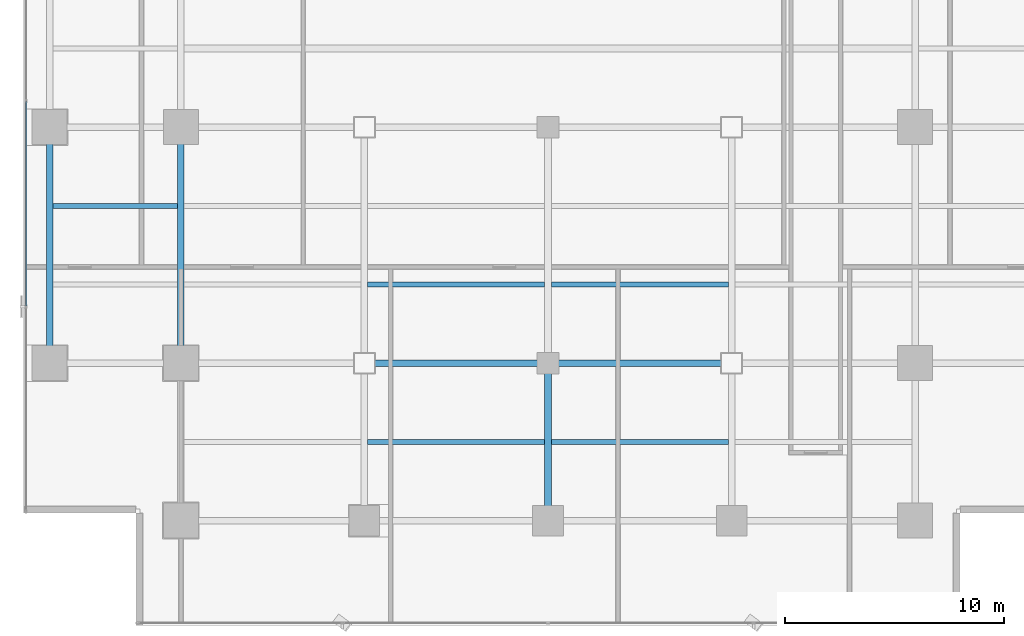
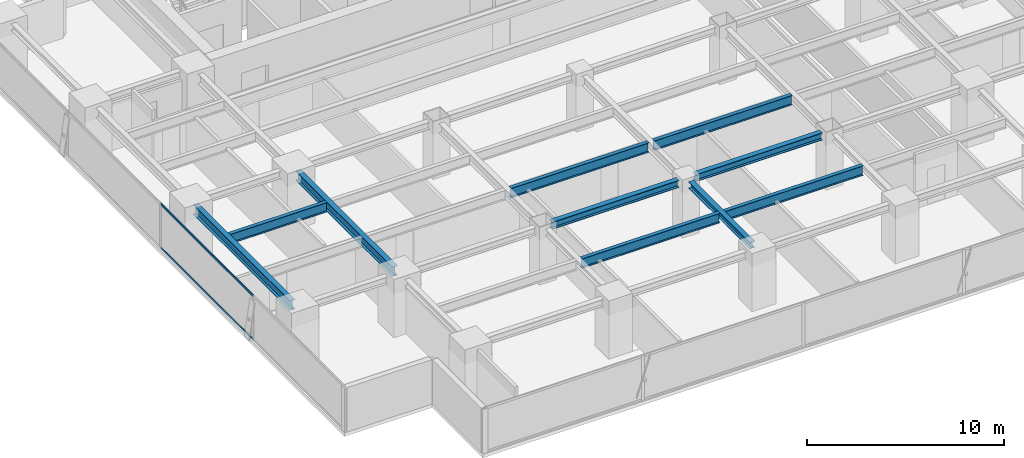
# One storey, part 6 of 28: 10 beams, 2 members, 1 element without a shape of its own.
"""IFC4 building model written with IfcOpenShell, lengths in metres."""

from ifc_helpers import new_model, si_unit, direction, frame, origin, origin_2d, place, context, subcontext, project, spatial, hollow_rectangle, i_section, extrude, source, transform, mapped, material, layer, layer_set, material_profile, profile_set, type_object, element, aggregate, save


model = new_model("IFC4")

# Units and contexts
model_context = context("Model", 3, precision=1e-05, world=origin(), true_north=direction((0.0, 1.0)))
body_context = subcontext(model_context, "Body", "Model", "MODEL_VIEW")
ifc_project = project(units=[si_unit("LENGTHUNIT", "METRE"), si_unit("AREAUNIT", "SQUARE_METRE"), si_unit("VOLUMEUNIT", "CUBIC_METRE"), si_unit("PLANEANGLEUNIT", "RADIAN"), si_unit("MASSUNIT", "GRAM", prefix="KILO")], contexts=[model_context])

# Site, building, storey
site_placement = place(None, origin())
site = spatial("IfcSite", under=ifc_project, at=site_placement, CompositionType="ELEMENT")
building_placement = place(site_placement, origin())
building = spatial("IfcBuilding", under=site, at=building_placement, Name="Sumidabori Civic Tower", CompositionType="ELEMENT")
storey_placement = place(building_placement, frame((0.0, 0.0, 174.800048828125)))
storey = spatial("IfcBuildingStorey", under=building, at=storey_placement, Name="L45", CompositionType="ELEMENT", Elevation=174.800048828125)

# Beams
ifc_material_1 = material(Name="Steel SN490", Category="steel")
ifc_material_profile_1 = material_profile(ifc_material_1, i_section(OverallWidth=0.300048828125, OverallDepth=0.39990234375, WebThickness=0.013427734375, FlangeThickness=0.02392578125, at=origin_2d()), Name="HE 400 B")
ifc_profile_set_1 = profile_set([ifc_material_profile_1], Name="Steel SN490")
beam_type_1 = type_object("IfcBeamType", Name="BM-GIRD-400", PredefinedType="BEAM", material=ifc_profile_set_1)
shared_shape_1 = source(origin(), body_context, "Body", "SweptSolid", [
    extrude(i_section(OverallWidth=0.300048828125, OverallDepth=0.39990234375, WebThickness=0.013427734375, FlangeThickness=0.02392578125, at=origin_2d()), origin(), (0.0, 0.0, 1.0), 6.239990234375),
])
beam_1_placement = place(storey_placement, frame((0.0, -17.52001953125, 3.179931640625), z_axis=(0.0, 1.0, 0.0), x_axis=(-1.0, 0.0, 0.0)))
element("IfcBeam", 1, at=beam_1_placement, inside=storey, type_object=beam_type_1, Name="Primary Girder L45 GY-28", PredefinedType="BEAM", context=body_context, shape_type="MappedRepresentation", body=[
    mapped(shared_shape_1, transform((0.0, 0.0, 0.0), x_axis=(1.0, 0.0, 0.0), y_axis=(0.0, 1.0, 0.0), z_axis=(0.0, 0.0, 1.0), scale=1.0)),
])
ifc_material_profile_2 = material_profile(ifc_material_1, i_section(OverallWidth=0.300048828125, OverallDepth=0.60009765625, WebThickness=0.015380859375, FlangeThickness=0.030029296875, at=origin_2d()), Name="HE 600 B")
ifc_profile_set_2 = profile_set([ifc_material_profile_2], Name="Steel SN490")
beam_type_2 = type_object("IfcBeamType", Name="BM-GIRD-600", PredefinedType="BEAM", material=ifc_profile_set_2)
shared_shape_2 = source(origin(), body_context, "Body", "SweptSolid", [
    extrude(i_section(OverallWidth=0.300048828125, OverallDepth=0.60009765625, WebThickness=0.015380859375, FlangeThickness=0.030029296875, at=origin_2d()), origin(), (0.0, 0.0, 1.0), 9.840087890625),
])
for number, where, z_axis, x_axis, name in (
    (2, (-22.800048828125, -10.320068359375, 3.079833984375), (0.0, 1.0, 0.0), (-1.0, 0.0, 0.0), "Primary Girder L45 GY-19"),
    (3, (-16.800048828125, -10.320068359375, 3.079833984375), (0.0, 1.0, 0.0), (-1.0, 0.0, 0.0), "Primary Girder L45 GY-23"),
):
    element("IfcBeam", number, at=place(storey_placement, frame(where, z_axis=z_axis, x_axis=x_axis)), inside=storey, type_object=beam_type_2, Name=name, PredefinedType="BEAM", context=body_context, shape_type="MappedRepresentation", body=[
        mapped(shared_shape_2, transform((0.0, 0.0, 0.0), x_axis=(1.0, 0.0, 0.0), y_axis=(0.0, 1.0, 0.0), z_axis=(0.0, 0.0, 1.0), scale=1.0)),
    ])
ifc_material_profile_3 = material_profile(ifc_material_1, i_section(OverallWidth=0.219970703125, OverallDepth=0.60009765625, WebThickness=0.011962890625, FlangeThickness=0.01904296875, at=origin_2d()), Name="IPE 600")
ifc_profile_set_3 = profile_set([ifc_material_profile_3], Name="Steel SN490")
beam_type_3 = type_object("IfcBeamType", Name="BM-JST-600", PredefinedType="JOIST", material=ifc_profile_set_3)
shared_shape_3 = source(origin(), body_context, "Body", "SweptSolid", [
    extrude(i_section(OverallWidth=0.219970703125, OverallDepth=0.60009765625, WebThickness=0.011962890625, FlangeThickness=0.01904296875, at=origin_2d()), origin(), (0.0, 0.0, 1.0), 5.699951171875),
])
beam_2_placement = place(storey_placement, frame((-22.64990234375, -3.60009765625, 3.079833984375), z_axis=(1.0, 0.0, 0.0), x_axis=(0.0, 1.0, 0.0)))
element("IfcBeam", 4, at=beam_2_placement, inside=storey, type_object=beam_type_3, Name="Outer Bay Floor Joist L45 JSTO-41", PredefinedType="JOIST", context=body_context, shape_type="MappedRepresentation", body=[
    mapped(shared_shape_3, transform((0.0, 0.0, 0.0), x_axis=(1.0, 0.0, 0.0), y_axis=(0.0, 1.0, 0.0), z_axis=(0.0, 0.0, 1.0), scale=1.0)),
])
shared_shape_4 = source(origin(), body_context, "Body", "SweptSolid", [
    extrude(i_section(OverallWidth=0.219970703125, OverallDepth=0.60009765625, WebThickness=0.011962890625, FlangeThickness=0.01904296875, at=origin_2d()), origin(), (0.0, 0.0, 1.0), 8.10009765625),
])
for number, where, z_axis, x_axis, name in (
    (5, (-8.25, -14.39990234375, 3.079833984375), (1.0, 0.0, 0.0), (0.0, 1.0, 0.0), "South Bay Floor Joist L45 JSTS-50"),
    (6, (0.14990234375, -14.39990234375, 3.079833984375), (1.0, 0.0, 0.0), (0.0, 1.0, 0.0), "South Bay Floor Joist L45 JSTS-51"),
    (7, (-8.25, -7.199951171875, 3.079833984375), (1.0, 0.0, 0.0), (0.0, 1.0, 0.0), "South Bay Floor Joist L45 JSTS-54"),
    (8, (0.14990234375, -7.199951171875, 3.079833984375), (1.0, 0.0, 0.0), (0.0, 1.0, 0.0), "South Bay Floor Joist L45 JSTS-55"),
):
    element("IfcBeam", number, at=place(storey_placement, frame(where, z_axis=z_axis, x_axis=x_axis)), inside=storey, type_object=beam_type_3, Name=name, PredefinedType="JOIST", context=body_context, shape_type="MappedRepresentation", body=[
        mapped(shared_shape_4, transform((0.0, 0.0, 0.0), x_axis=(1.0, 0.0, 0.0), y_axis=(0.0, 1.0, 0.0), z_axis=(0.0, 0.0, 1.0), scale=1.0)),
    ])
ifc_material_profile_4 = material_profile(ifc_material_1, i_section(OverallWidth=0.300048828125, OverallDepth=0.449951171875, WebThickness=0.013916015625, FlangeThickness=0.02587890625, at=origin_2d()), Name="HE 450 B")
ifc_profile_set_4 = profile_set([ifc_material_profile_4], Name="Steel SN490")
beam_type_4 = type_object("IfcBeamType", Name="BM-GIRD-450", PredefinedType="BEAM", material=ifc_profile_set_4)
shared_shape_5 = source(origin(), body_context, "Body", "SweptSolid", [
    extrude(i_section(OverallWidth=0.300048828125, OverallDepth=0.449951171875, WebThickness=0.013916015625, FlangeThickness=0.02587890625, at=origin_2d()), origin(), (0.0, 0.0, 1.0), 7.43994140625),
])
for number, where, z_axis, x_axis, name in (
    (9, (-7.919921875, -10.800048828125, 3.155029296875), (1.0, 0.0, 0.0), (0.0, 1.0, 0.0), "Primary Girder L45 GX-07"),
    (10, (0.47998046875, -10.800048828125, 3.155029296875), (1.0, 0.0, 0.0), (0.0, 1.0, 0.0), "Primary Girder L45 GX-08"),
):
    element("IfcBeam", number, at=place(storey_placement, frame(where, z_axis=z_axis, x_axis=x_axis)), inside=storey, type_object=beam_type_4, Name=name, PredefinedType="BEAM", context=body_context, shape_type="MappedRepresentation", body=[
        mapped(shared_shape_5, transform((0.0, 0.0, 0.0), x_axis=(1.0, 0.0, 0.0), y_axis=(0.0, 1.0, 0.0), z_axis=(0.0, 0.0, 1.0), scale=1.0)),
    ])

# Curtain wall, members
ifc_material_2 = material(Name="Anodised Bronze Aluminium AW-6063-T6", Category="aluminium")
ifc_layer = layer(ifc_material_2, 0.179931640625, Name="Anodised Bronze Aluminium AW-6063-T6")
ifc_layer_set = layer_set([ifc_layer], Name="Anodised Bronze Aluminium AW-6063-T6")
curtain_wall_type = type_object("IfcCurtainWallType", Name="CW-SYS-3", PredefinedType="NOTDEFINED", material=ifc_layer_set)
curtain_wall_placement = place(storey_placement, origin())
curtain_wall = element("IfcCurtainWall", 11, at=curtain_wall_placement, inside=storey, type_object=curtain_wall_type, Name="Curtain Wall CW:L45:R10", PredefinedType="NOTDEFINED")
ifc_material_profile_5 = material_profile(ifc_material_2, hollow_rectangle(XDim=0.06005859375, YDim=0.1298828125, WallThickness=0.0048828125, at=origin_2d()), Name="ALU TRANSOM 130x60")
ifc_profile_set_5 = profile_set([ifc_material_profile_5], Name="Anodised Bronze Aluminium AW-6063-T6")
member_type = type_object("IfcMemberType", Name="CW-TRN-130", PredefinedType="USERDEFINED", material=ifc_profile_set_5)
shared_shape_6 = source(origin(), body_context, "Body", "SweptSolid", [
    extrude(hollow_rectangle(XDim=0.06005859375, YDim=0.1298828125, WallThickness=0.0048828125, at=origin_2d()), origin(), (0.0, 0.0, 1.0), 9.344970703125),
])
member_1_placement = place(storey_placement, frame((-23.8798828125, 1.16748046875, 0.030029296875), z_axis=(0.0, -1.0, 0.0), x_axis=(1.0, 0.0, 0.0)))
member_1 = element("IfcMember", 12, at=member_1_placement, type_object=member_type, Name="CW-3 transom 3.1", ObjectType="TRANSOM", PredefinedType="USERDEFINED", context=body_context, shape_type="MappedRepresentation", body=[
    mapped(shared_shape_6, transform((0.0, 0.0, 0.0), x_axis=(1.0, 0.0, 0.0), y_axis=(0.0, 1.0, 0.0), z_axis=(0.0, 0.0, 1.0), scale=1.0)),
])
member_2_placement = place(storey_placement, frame((-23.8798828125, 1.16748046875, 2.72998046875), z_axis=(0.0, -1.0, 0.0), x_axis=(1.0, 0.0, 0.0)))
member_2 = element("IfcMember", 13, at=member_2_placement, type_object=member_type, Name="CW-3 transom 3.2", ObjectType="TRANSOM", PredefinedType="USERDEFINED", context=body_context, shape_type="MappedRepresentation", body=[
    mapped(shared_shape_6, transform((0.0, 0.0, 0.0), x_axis=(1.0, 0.0, 0.0), y_axis=(0.0, 1.0, 0.0), z_axis=(0.0, 0.0, 1.0), scale=1.0)),
])
aggregate(curtain_wall, [member_1, member_2])

save(model, "model.ifc")
